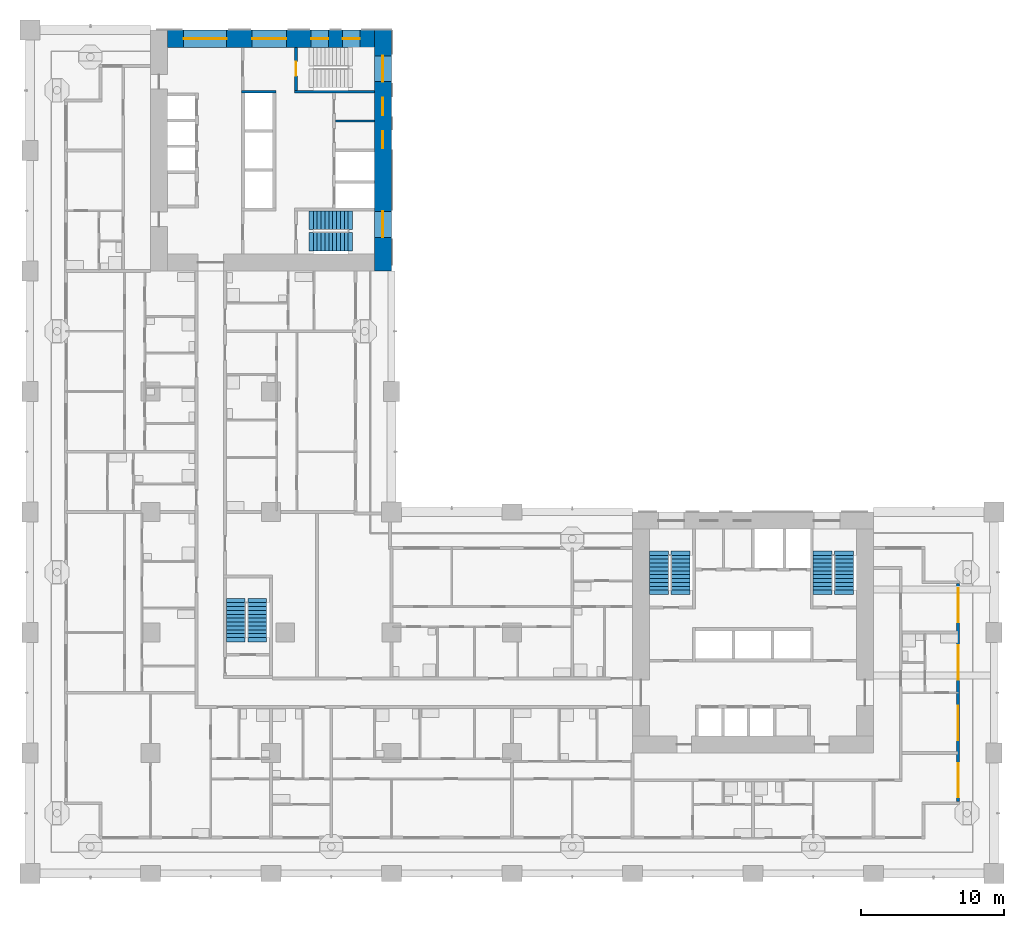
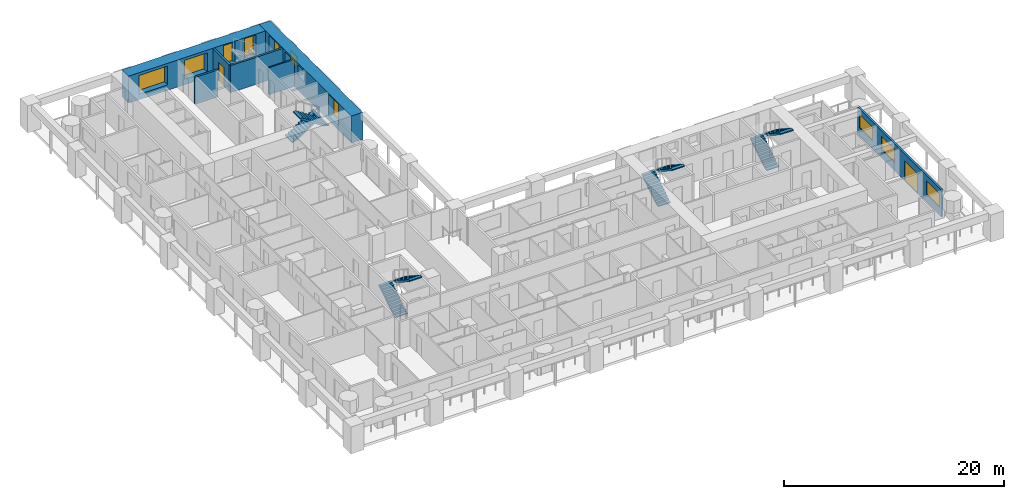
# One storey, part 10 of 21: 11 windows, 8 stair flights, 7 walls, 2 doors, 13 openings, 4 elements without a shape of their own.
"""IFC4 building model written with IfcOpenShell, lengths in metres."""

from ifc_helpers import new_model, si_unit, direction, frame, frame_2d, origin, place, context, subcontext, project, spatial, polyline, rectangle, outline, extrude, material, layer, layer_set, type_object, element, fill, aggregate, save


model = new_model("IFC4")

# Units and contexts
model_context = context("Model", 3, precision=1e-05, world=origin(), true_north=direction((0.0, 1.0)))
body_context = subcontext(model_context, "Body", "Model", "MODEL_VIEW")
ifc_project = project(units=[si_unit("LENGTHUNIT", "METRE"), si_unit("AREAUNIT", "SQUARE_METRE"), si_unit("VOLUMEUNIT", "CUBIC_METRE"), si_unit("PLANEANGLEUNIT", "RADIAN"), si_unit("MASSUNIT", "GRAM", prefix="KILO")], contexts=[model_context])

# Site, building, storey
site_placement = place(None, origin())
site = spatial("IfcSite", under=ifc_project, at=site_placement, CompositionType="ELEMENT")
building_placement = place(site_placement, origin())
building = spatial("IfcBuilding", under=site, at=building_placement, Name="Vermilion Gate Residences", CompositionType="ELEMENT")
storey_placement = place(building_placement, frame((0.0, 0.0, 70.699951171875)))
storey = spatial("IfcBuildingStorey", under=building, at=storey_placement, Name="L17", CompositionType="ELEMENT", Elevation=70.699951171875)

# Wall
ifc_material_1 = material(Name="Masonry blockwork", Category="masonry")
ifc_layer_1 = layer(ifc_material_1, 0.14990234375)
ifc_layer_set_1 = layer_set([ifc_layer_1], Name="BLOCKWORK PARTITION 150 EI 120")
wall_type_1 = type_object("IfcWallType", Name="BLOCKWORK PARTITION 150 EI 120", PredefinedType="PARTITIONING", material=ifc_layer_set_1)
wall_1_placement = place(storey_placement, frame((21.300048828125, 52.449951171875, 0.0), z_axis=(0.0, 0.0, 1.0), x_axis=(1.0, 0.0, 0.0)))
element("IfcWall", 1, at=wall_1_placement, inside=storey, type_object=wall_type_1, Name="Core room partition B17-NR-P0", PredefinedType="PARTITIONING", context=body_context, shape_type="SweptSolid", body=[
    extrude(rectangle(XDim=2.699951171875, YDim=0.14990234375, at=frame_2d((1.35009765625, 0.0))), origin(), (0.0, 0.0, 1.0), 3.0),
])

# Wall, openings, door, windows
ifc_material_2 = material(Name="Insulated steel stud wall with terracotta rainscreen", Category="masonry")
ifc_layer_2 = layer(ifc_material_2, 0.199951171875)
ifc_layer_set_2 = layer_set([ifc_layer_2], Name="EXTERNAL WALL 200 TERRACOTTA RAINSCREEN")
wall_type_2 = type_object("IfcWallType", Name="EXTERNAL WALL 200 TERRACOTTA RAINSCREEN", PredefinedType="SOLIDWALL", material=ifc_layer_set_2)
wall_2_placement = place(storey_placement, frame((64.699951171875, 5.0, 0.0), z_axis=(0.0, 0.0, 1.0), x_axis=(0.0, 1.0, 0.0)))
wall_2 = element("IfcWall", 2, at=wall_2_placement, inside=storey, type_object=wall_type_2, Name="External wall", PredefinedType="SOLIDWALL", context=body_context, shape_type="SweptSolid", body=[
    extrude(rectangle(XDim=15.199951171875, YDim=0.199951171875, at=frame_2d((7.60009765625, 0.0))), origin(), (0.0, 0.0, 1.0), 3.0),
])
opening_1_placement = place(wall_2_placement, frame((0.300048828125, 0.0, 0.89990234375)))
opening_1 = element("IfcOpeningElement", 3, at=opening_1_placement, cuts=wall_2, Name="Opening WE17028", PredefinedType="OPENING", context=body_context, shape_type="SweptSolid", body=[
    extrude(rectangle(XDim=2.39990234375, YDim=1.5, at=frame_2d((1.199951171875, 0.75))), frame((0.0, 0.10986328125, 0.0), z_axis=(0.0, -1.0, 0.0), x_axis=(1.0, 0.0, 0.0)), (0.0, 0.0, 1.0), 0.219970703125),
])
opening_2_placement = place(wall_2_placement, frame((4.300048828125, 0.0, 0.0)))
opening_2 = element("IfcOpeningElement", 4, at=opening_2_placement, cuts=wall_2, Name="Opening DE17029", PredefinedType="OPENING", context=body_context, shape_type="SweptSolid", body=[
    extrude(rectangle(XDim=2.39990234375, YDim=2.199951171875, at=frame_2d((1.199951171875, 1.10009765625))), frame((0.0, 0.10986328125, 0.0), z_axis=(0.0, -1.0, 0.0), x_axis=(1.0, 0.0, 0.0)), (0.0, 0.0, 1.0), 0.219970703125),
])
opening_3_placement = place(wall_2_placement, frame((8.5, 0.0, 0.89990234375)))
opening_3 = element("IfcOpeningElement", 5, at=opening_3_placement, cuts=wall_2, Name="Opening WE17030", PredefinedType="OPENING", context=body_context, shape_type="SweptSolid", body=[
    extrude(rectangle(XDim=2.39990234375, YDim=1.5, at=frame_2d((1.199951171875, 0.75))), frame((0.0, 0.10986328125, 0.0), z_axis=(0.0, -1.0, 0.0), x_axis=(1.0, 0.0, 0.0)), (0.0, 0.0, 1.0), 0.219970703125),
])
opening_4_placement = place(wall_2_placement, frame((12.5, 0.0, 0.89990234375)))
opening_4 = element("IfcOpeningElement", 6, at=opening_4_placement, cuts=wall_2, Name="Opening WE17031", PredefinedType="OPENING", context=body_context, shape_type="SweptSolid", body=[
    extrude(rectangle(XDim=2.39990234375, YDim=1.5, at=frame_2d((1.199951171875, 0.75))), frame((0.0, 0.10986328125, 0.0), z_axis=(0.0, -1.0, 0.0), x_axis=(1.0, 0.0, 0.0)), (0.0, 0.0, 1.0), 0.219970703125),
])
ifc_material_3 = material(Name="Aluminium and clear glass", Category="aluminium")
door_type_1 = type_object("IfcDoorType", Name="SLIDING GLAZED DOOR 2400 X 2200", OperationType="DOUBLE_DOOR_SLIDING", PredefinedType="DOOR", material=ifc_material_3)
door_1_placement = place(opening_2_placement, origin())
door_1 = element("IfcDoor", 7, at=door_1_placement, inside=storey, type_object=door_type_1, Name="Loggia sliding door", OperationType="DOUBLE_DOOR_SLIDING", OverallHeight=2.199951171875, OverallWidth=2.39990234375, PredefinedType="DOOR", context=body_context, shape_type="SweptSolid", body=[
    extrude(rectangle(XDim=2.39990234375, YDim=2.199951171875, at=frame_2d((1.199951171875, 1.10009765625))), frame((0.0, 0.02490234375, 0.0), z_axis=(0.0, -1.0, 0.0), x_axis=(1.0, 0.0, 0.0)), (0.0, 0.0, 1.0), 0.050048828125),
])
fill(opening_2, door_1)
ifc_material_4 = material(Name="Aluminium and clear glass", Category="aluminium")
window_type_1 = type_object("IfcWindowType", Name="WINDOW 2400 X 1500", PartitioningType="SINGLE_PANEL", PredefinedType="WINDOW", material=ifc_material_4)
window_1_placement = place(opening_1_placement, origin())
window_1 = element("IfcWindow", 8, at=window_1_placement, inside=storey, type_object=window_type_1, Name="Window", OverallHeight=1.5, OverallWidth=2.39990234375, PartitioningType="SINGLE_PANEL", PredefinedType="WINDOW", context=body_context, shape_type="SweptSolid", body=[
    extrude(rectangle(XDim=2.39990234375, YDim=1.5, at=frame_2d((1.199951171875, 0.75))), frame((0.0, 0.030029296875, 0.0), z_axis=(0.0, -1.0, 0.0), x_axis=(1.0, 0.0, 0.0)), (0.0, 0.0, 1.0), 0.06005859375),
])
fill(opening_1, window_1)
window_2_placement = place(opening_3_placement, origin())
window_2 = element("IfcWindow", 9, at=window_2_placement, inside=storey, type_object=window_type_1, Name="Window", OverallHeight=1.5, OverallWidth=2.39990234375, PartitioningType="SINGLE_PANEL", PredefinedType="WINDOW", context=body_context, shape_type="SweptSolid", body=[
    extrude(rectangle(XDim=2.39990234375, YDim=1.5, at=frame_2d((1.199951171875, 0.75))), frame((0.0, 0.030029296875, 0.0), z_axis=(0.0, -1.0, 0.0), x_axis=(1.0, 0.0, 0.0)), (0.0, 0.0, 1.0), 0.06005859375),
])
fill(opening_3, window_2)
window_3_placement = place(opening_4_placement, origin())
window_3 = element("IfcWindow", 10, at=window_3_placement, inside=storey, type_object=window_type_1, Name="Window", OverallHeight=1.5, OverallWidth=2.39990234375, PartitioningType="SINGLE_PANEL", PredefinedType="WINDOW", context=body_context, shape_type="SweptSolid", body=[
    extrude(rectangle(XDim=2.39990234375, YDim=1.5, at=frame_2d((1.199951171875, 0.75))), frame((0.0, 0.030029296875, 0.0), z_axis=(0.0, -1.0, 0.0), x_axis=(1.0, 0.0, 0.0)), (0.0, 0.0, 1.0), 0.06005859375),
])
fill(opening_4, window_3)

# Walls
ifc_material_5 = material(Name="Concrete C60", Category="concrete")
ifc_layer_3 = layer(ifc_material_5, 0.199951171875)
ifc_layer_set_3 = layer_set([ifc_layer_3], Name="RC CORE INTERNAL WALL 200 C60")
wall_type_3 = type_object("IfcWallType", Name="RC CORE INTERNAL WALL 200 C60", PredefinedType="SHEAR", material=ifc_layer_set_3)
wall_3_placement = place(storey_placement, frame((14.75, 54.5, 0.0), z_axis=(0.0, 0.0, 1.0), x_axis=(1.0, 0.0, 0.0)))
element("IfcWall", 11, at=wall_3_placement, inside=storey, type_object=wall_type_3, Name="Core internal wall B17-WDIV1", PredefinedType="SHEAR", context=body_context, shape_type="SweptSolid", body=[
    extrude(rectangle(XDim=2.39990234375, YDim=0.199951171875, at=frame_2d((1.199951171875, 0.0))), origin(), (0.0, 0.0, 1.0), 3.0),
])
wall_4_placement = place(storey_placement, frame((18.449951171875, 54.5, 0.0), z_axis=(0.0, 0.0, 1.0), x_axis=(1.0, 0.0, 0.0)))
element("IfcWall", 12, at=wall_4_placement, inside=storey, type_object=wall_type_3, Name="Core internal wall B17-WDIV2", PredefinedType="SHEAR", context=body_context, shape_type="SweptSolid", body=[
    extrude(rectangle(XDim=5.550048828125, YDim=0.199951171875, at=frame_2d((2.77490234375, 0.0))), origin(), (0.0, 0.0, 1.0), 3.0),
])

# Wall, opening, door
wall_5_placement = place(storey_placement, frame((18.550048828125, 57.60009765625, 0.0), z_axis=(0.0, 0.0, 1.0), x_axis=(0.0, -1.0, 0.0)))
wall_5 = element("IfcWall", 13, at=wall_5_placement, inside=storey, type_object=wall_type_3, Name="Core internal wall B17-STW-S", PredefinedType="SHEAR", context=body_context, shape_type="SweptSolid", body=[
    extrude(rectangle(XDim=3.0, YDim=0.199951171875, at=frame_2d((1.5, 0.0))), origin(), (0.0, 0.0, 1.0), 3.0),
])
opening_5_placement = place(wall_5_placement, frame((1.0, 0.0, 0.0)))
opening_5 = element("IfcOpeningElement", 14, at=opening_5_placement, cuts=wall_5, Name="Opening DK17113", PredefinedType="OPENING", context=body_context, shape_type="SweptSolid", body=[
    extrude(rectangle(XDim=1.0, YDim=2.10009765625, at=frame_2d((0.5, 1.050048828125))), frame((0.0, 0.10986328125, 0.0), z_axis=(0.0, -1.0, 0.0), x_axis=(1.0, 0.0, 0.0)), (0.0, 0.0, 1.0), 0.219970703125),
])
ifc_material_6 = material(Name="Steel", Category="steel")
door_type_2 = type_object("IfcDoorType", Name="FIRE DOOR FD60 1000 X 2100", OperationType="SINGLE_SWING_LEFT", PredefinedType="DOOR", material=ifc_material_6)
door_2_placement = place(opening_5_placement, origin())
door_2 = element("IfcDoor", 15, at=door_2_placement, inside=storey, type_object=door_type_2, Name="Stair door B17", OperationType="SINGLE_SWING_LEFT", OverallHeight=2.10009765625, OverallWidth=1.0, PredefinedType="DOOR", context=body_context, shape_type="SweptSolid", body=[
    extrude(rectangle(XDim=1.0, YDim=2.10009765625, at=frame_2d((0.5, 1.050048828125))), frame((0.0, 0.02490234375, 0.0), z_axis=(0.0, -1.0, 0.0), x_axis=(1.0, 0.0, 0.0)), (0.0, 0.0, 1.0), 0.050048828125),
])
fill(opening_5, door_2)

# Wall, openings, windows
ifc_material_7 = material(Name="Concrete C80 red-oxide pigmented", Category="concrete")
ifc_layer_4 = layer(ifc_material_7, 1.199951171875)
ifc_layer_set_4 = layer_set([ifc_layer_4], Name="RC CORE WALL 1200 C80 RED OXIDE")
wall_type_4 = type_object("IfcWallType", Name="RC CORE WALL 1200 C80 RED OXIDE", PredefinedType="SHEAR", material=ifc_layer_set_4)
wall_6_placement = place(storey_placement, frame((24.60009765625, 58.800048828125, 0.0), z_axis=(0.0, 0.0, 1.0), x_axis=(0.0, -1.0, 0.0)))
wall_6 = element("IfcWall", 16, at=wall_6_placement, inside=storey, type_object=wall_type_4, Name="Core wall B17-OUT-B1", PredefinedType="SHEAR", context=body_context, shape_type="SweptSolid", body=[
    extrude(rectangle(XDim=16.800048828125, YDim=1.199951171875, at=frame_2d((8.39990234375, 0.0))), origin(), (0.0, 0.0, 1.0), 3.0),
])
opening_6_placement = place(wall_6_placement, frame((1.800048828125, 0.0, 0.5)))
opening_6 = element("IfcOpeningElement", 17, at=opening_6_placement, cuts=wall_6, Name="Opening WKB1701", PredefinedType="OPENING", context=body_context, shape_type="SweptSolid", body=[
    extrude(rectangle(XDim=1.800048828125, YDim=2.39990234375, at=frame_2d((0.89990234375, 1.199951171875))), frame((0.0, 0.60986328125, 0.0), z_axis=(0.0, -1.0, 0.0), x_axis=(1.0, 0.0, 0.0)), (0.0, 0.0, 1.0), 1.219970703125),
])
opening_7_placement = place(wall_6_placement, frame((4.737548828125, 0.0, 1.60009765625)))
opening_7 = element("IfcOpeningElement", 18, at=opening_7_placement, cuts=wall_6, Name="Opening WKB1702", PredefinedType="OPENING", context=body_context, shape_type="SweptSolid", body=[
    extrude(rectangle(XDim=1.199951171875, YDim=1.199951171875, at=frame_2d((0.60009765625, 0.60009765625))), frame((0.0, 0.60986328125, 0.0), z_axis=(0.0, -1.0, 0.0), x_axis=(1.0, 0.0, 0.0)), (0.0, 0.0, 1.0), 1.219970703125),
])
opening_8_placement = place(wall_6_placement, frame((7.050048828125, 0.0, 1.60009765625)))
opening_8 = element("IfcOpeningElement", 19, at=opening_8_placement, cuts=wall_6, Name="Opening WKB1703", PredefinedType="OPENING", context=body_context, shape_type="SweptSolid", body=[
    extrude(rectangle(XDim=1.199951171875, YDim=1.199951171875, at=frame_2d((0.60009765625, 0.60009765625))), frame((0.0, 0.60986328125, 0.0), z_axis=(0.0, -1.0, 0.0), x_axis=(1.0, 0.0, 0.0)), (0.0, 0.0, 1.0), 1.219970703125),
])
opening_9_placement = place(wall_6_placement, frame((12.64990234375, 0.0, 0.5)))
opening_9 = element("IfcOpeningElement", 20, at=opening_9_placement, cuts=wall_6, Name="Opening WKB1704", PredefinedType="OPENING", context=body_context, shape_type="SweptSolid", body=[
    extrude(rectangle(XDim=1.800048828125, YDim=2.39990234375, at=frame_2d((0.89990234375, 1.199951171875))), frame((0.0, 0.60986328125, 0.0), z_axis=(0.0, -1.0, 0.0), x_axis=(1.0, 0.0, 0.0)), (0.0, 0.0, 1.0), 1.219970703125),
])
ifc_material_8 = material(Name="Aluminium frame with louvre blades", Category="aluminium")
window_type_2 = type_object("IfcWindowType", Name="CORE LOUVRE 1200 X 1200", PartitioningType="SINGLE_PANEL", PredefinedType="WINDOW", material=ifc_material_8)
window_4_placement = place(opening_7_placement, origin())
window_4 = element("IfcWindow", 21, at=window_4_placement, inside=storey, type_object=window_type_2, Name="Core louvre", OverallHeight=1.199951171875, OverallWidth=1.199951171875, PartitioningType="SINGLE_PANEL", PredefinedType="WINDOW", context=body_context, shape_type="SweptSolid", body=[
    extrude(rectangle(XDim=1.199951171875, YDim=1.199951171875, at=frame_2d((0.60009765625, 0.60009765625))), frame((0.0, 0.030029296875, 0.0), z_axis=(0.0, -1.0, 0.0), x_axis=(1.0, 0.0, 0.0)), (0.0, 0.0, 1.0), 0.06005859375),
])
fill(opening_7, window_4)
window_5_placement = place(opening_8_placement, origin())
window_5 = element("IfcWindow", 22, at=window_5_placement, inside=storey, type_object=window_type_2, Name="Core louvre", OverallHeight=1.199951171875, OverallWidth=1.199951171875, PartitioningType="SINGLE_PANEL", PredefinedType="WINDOW", context=body_context, shape_type="SweptSolid", body=[
    extrude(rectangle(XDim=1.199951171875, YDim=1.199951171875, at=frame_2d((0.60009765625, 0.60009765625))), frame((0.0, 0.030029296875, 0.0), z_axis=(0.0, -1.0, 0.0), x_axis=(1.0, 0.0, 0.0)), (0.0, 0.0, 1.0), 0.06005859375),
])
fill(opening_8, window_5)
ifc_material_9 = material(Name="Aluminium and clear glass", Category="aluminium")
window_type_3 = type_object("IfcWindowType", Name="CORE STAIR WINDOW 1800 X 2400", PartitioningType="SINGLE_PANEL", PredefinedType="WINDOW", material=ifc_material_9)
window_6_placement = place(opening_6_placement, origin())
window_6 = element("IfcWindow", 23, at=window_6_placement, inside=storey, type_object=window_type_3, Name="Core stair window", OverallHeight=2.39990234375, OverallWidth=1.800048828125, PartitioningType="SINGLE_PANEL", PredefinedType="WINDOW", context=body_context, shape_type="SweptSolid", body=[
    extrude(rectangle(XDim=1.800048828125, YDim=2.39990234375, at=frame_2d((0.89990234375, 1.199951171875))), frame((0.0, 0.030029296875, 0.0), z_axis=(0.0, -1.0, 0.0), x_axis=(1.0, 0.0, 0.0)), (0.0, 0.0, 1.0), 0.06005859375),
])
fill(opening_6, window_6)
window_7_placement = place(opening_9_placement, origin())
window_7 = element("IfcWindow", 24, at=window_7_placement, inside=storey, type_object=window_type_3, Name="Core stair window", OverallHeight=2.39990234375, OverallWidth=1.800048828125, PartitioningType="SINGLE_PANEL", PredefinedType="WINDOW", context=body_context, shape_type="SweptSolid", body=[
    extrude(rectangle(XDim=1.800048828125, YDim=2.39990234375, at=frame_2d((0.89990234375, 1.199951171875))), frame((0.0, 0.030029296875, 0.0), z_axis=(0.0, -1.0, 0.0), x_axis=(1.0, 0.0, 0.0)), (0.0, 0.0, 1.0), 0.06005859375),
])
fill(opening_9, window_7)

wall_7_placement = place(storey_placement, frame((9.60009765625, 58.199951171875, 0.0), z_axis=(0.0, 0.0, 1.0), x_axis=(1.0, 0.0, 0.0)))
wall_7 = element("IfcWall", 25, at=wall_7_placement, inside=storey, type_object=wall_type_4, Name="Core wall B17-OUT-FR", PredefinedType="SHEAR", context=body_context, shape_type="SweptSolid", body=[
    extrude(rectangle(XDim=14.39990234375, YDim=1.199951171875, at=frame_2d((7.199951171875, 0.0))), origin(), (0.0, 0.0, 1.0), 3.0),
])
opening_10_placement = place(wall_7_placement, frame((1.10498046875, 0.0, 0.60009765625)))
opening_10 = element("IfcOpeningElement", 26, at=opening_10_placement, cuts=wall_7, Name="Opening WKB1705", PredefinedType="OPENING", context=body_context, shape_type="SweptSolid", body=[
    extrude(rectangle(XDim=3.0, YDim=2.10009765625, at=frame_2d((1.5, 1.050048828125))), frame((0.0, 0.60986328125, 0.0), z_axis=(0.0, -1.0, 0.0), x_axis=(1.0, 0.0, 0.0)), (0.0, 0.0, 1.0), 1.219970703125),
])
opening_11_placement = place(wall_7_placement, frame((5.875, 0.0, 0.60009765625)))
opening_11 = element("IfcOpeningElement", 27, at=opening_11_placement, cuts=wall_7, Name="Opening WKB1706", PredefinedType="OPENING", context=body_context, shape_type="SweptSolid", body=[
    extrude(rectangle(XDim=2.39990234375, YDim=2.10009765625, at=frame_2d((1.199951171875, 1.050048828125))), frame((0.0, 0.60986328125, 0.0), z_axis=(0.0, -1.0, 0.0), x_axis=(1.0, 0.0, 0.0)), (0.0, 0.0, 1.0), 1.219970703125),
])
opening_12_placement = place(wall_7_placement, frame((9.993408203125, 0.0, 0.5)))
opening_12 = element("IfcOpeningElement", 28, at=opening_12_placement, cuts=wall_7, Name="Opening WKB1707", PredefinedType="OPENING", context=body_context, shape_type="SweptSolid", body=[
    extrude(rectangle(XDim=1.199951171875, YDim=2.39990234375, at=frame_2d((0.60009765625, 1.199951171875))), frame((0.0, 0.60986328125, 0.0), z_axis=(0.0, -1.0, 0.0), x_axis=(1.0, 0.0, 0.0)), (0.0, 0.0, 1.0), 1.219970703125),
])
opening_13_placement = place(wall_7_placement, frame((12.19677734375, 0.0, 0.5)))
opening_13 = element("IfcOpeningElement", 29, at=opening_13_placement, cuts=wall_7, Name="Opening WKB1708", PredefinedType="OPENING", context=body_context, shape_type="SweptSolid", body=[
    extrude(rectangle(XDim=1.199951171875, YDim=2.39990234375, at=frame_2d((0.60009765625, 1.199951171875))), frame((0.0, 0.60986328125, 0.0), z_axis=(0.0, -1.0, 0.0), x_axis=(1.0, 0.0, 0.0)), (0.0, 0.0, 1.0), 1.219970703125),
])
ifc_material_10 = material(Name="Aluminium and clear glass", Category="aluminium")
window_type_4 = type_object("IfcWindowType", Name="CORE LOBBY WINDOW 2400 X 2100", PartitioningType="SINGLE_PANEL", PredefinedType="WINDOW", material=ifc_material_10)
window_8_placement = place(opening_11_placement, origin())
window_8 = element("IfcWindow", 30, at=window_8_placement, inside=storey, type_object=window_type_4, Name="Core lobby window", OverallHeight=2.10009765625, OverallWidth=2.39990234375, PartitioningType="SINGLE_PANEL", PredefinedType="WINDOW", context=body_context, shape_type="SweptSolid", body=[
    extrude(rectangle(XDim=2.39990234375, YDim=2.10009765625, at=frame_2d((1.199951171875, 1.050048828125))), frame((0.0, 0.030029296875, 0.0), z_axis=(0.0, -1.0, 0.0), x_axis=(1.0, 0.0, 0.0)), (0.0, 0.0, 1.0), 0.06005859375),
])
fill(opening_11, window_8)
ifc_material_11 = material(Name="Aluminium and clear glass", Category="aluminium")
window_type_5 = type_object("IfcWindowType", Name="CORE LOBBY WINDOW 3000 X 2100", PartitioningType="SINGLE_PANEL", PredefinedType="WINDOW", material=ifc_material_11)
window_9_placement = place(opening_10_placement, origin())
window_9 = element("IfcWindow", 31, at=window_9_placement, inside=storey, type_object=window_type_5, Name="Core lobby window", OverallHeight=2.10009765625, OverallWidth=3.0, PartitioningType="SINGLE_PANEL", PredefinedType="WINDOW", context=body_context, shape_type="SweptSolid", body=[
    extrude(rectangle(XDim=3.0, YDim=2.10009765625, at=frame_2d((1.5, 1.050048828125))), frame((0.0, 0.030029296875, 0.0), z_axis=(0.0, -1.0, 0.0), x_axis=(1.0, 0.0, 0.0)), (0.0, 0.0, 1.0), 0.06005859375),
])
fill(opening_10, window_9)
ifc_material_12 = material(Name="Aluminium and clear glass", Category="aluminium")
window_type_6 = type_object("IfcWindowType", Name="CORE STAIR WINDOW 1200 X 2400", PartitioningType="SINGLE_PANEL", PredefinedType="WINDOW", material=ifc_material_12)
window_10_placement = place(opening_12_placement, origin())
window_10 = element("IfcWindow", 32, at=window_10_placement, inside=storey, type_object=window_type_6, Name="Core stair window", OverallHeight=2.39990234375, OverallWidth=1.199951171875, PartitioningType="SINGLE_PANEL", PredefinedType="WINDOW", context=body_context, shape_type="SweptSolid", body=[
    extrude(rectangle(XDim=1.199951171875, YDim=2.39990234375, at=frame_2d((0.60009765625, 1.199951171875))), frame((0.0, 0.030029296875, 0.0), z_axis=(0.0, -1.0, 0.0), x_axis=(1.0, 0.0, 0.0)), (0.0, 0.0, 1.0), 0.06005859375),
])
fill(opening_12, window_10)
window_11_placement = place(opening_13_placement, origin())
window_11 = element("IfcWindow", 33, at=window_11_placement, inside=storey, type_object=window_type_6, Name="Core stair window", OverallHeight=2.39990234375, OverallWidth=1.199951171875, PartitioningType="SINGLE_PANEL", PredefinedType="WINDOW", context=body_context, shape_type="SweptSolid", body=[
    extrude(rectangle(XDim=1.199951171875, YDim=2.39990234375, at=frame_2d((0.60009765625, 1.199951171875))), frame((0.0, 0.030029296875, 0.0), z_axis=(0.0, -1.0, 0.0), x_axis=(1.0, 0.0, 0.0)), (0.0, 0.0, 1.0), 0.06005859375),
])
fill(opening_13, window_11)

# Stair, stair flights
ifc_material_13 = material(Name="Concrete C50", Category="concrete")
stair_type = type_object("IfcStairType", Name="SPECIAL ESCAPE STAIR 1300", PredefinedType="HALF_TURN_STAIR", material=ifc_material_13)
stair_1_placement = place(storey_placement, origin())
stair_1 = element("IfcStair", 34, at=stair_1_placement, inside=storey, type_object=stair_type, Name="Special escape stair STA1-17", PredefinedType="HALF_TURN_STAIR")
ifc_material_14 = material(Name="Concrete C50", Category="concrete")
stair_flight_type = type_object("IfcStairFlightType", Name="STAIR FLIGHT 1300 RC C50", PredefinedType="STRAIGHT", material=ifc_material_14)
stair_flight_1_placement = place(storey_placement, frame((43.85009765625, 19.75, 0.0), z_axis=(0.0, 0.0, 1.0), x_axis=(0.0, 1.0, 0.0)))
stair_flight_1 = element("IfcStairFlight", 35, at=stair_flight_1_placement, type_object=stair_flight_type, Name="STA1-17 flight 1", NumberOfRisers=10, NumberOfTreads=9, PredefinedType="STRAIGHT", RiserHeight=0.175, TreadLength=0.27, context=body_context, shape_type="SweptSolid", body=[
    extrude(outline(polyline([(-0.300048828125, -0.14990234375), (-0.300048828125, -0.030029296875), (0.0, 0.0), (0.0, 0.175048828125), (0.27001953125, 0.175048828125), (0.27001953125, 0.35009765625), (0.5400390625, 0.35009765625), (0.5400390625, 0.52490234375), (0.81005859375, 0.52490234375), (0.81005859375, 0.699951171875), (1.080078125, 0.699951171875), (1.080078125, 0.875), (1.35009765625, 0.875), (1.35009765625, 1.050048828125), (1.6201171875, 1.050048828125), (1.6201171875, 1.22509765625), (1.889892578125, 1.22509765625), (1.889892578125, 1.39990234375), (2.159912109375, 1.39990234375), (2.159912109375, 1.574951171875), (2.429931640625, 1.574951171875), (2.429931640625, 1.75), (2.72998046875, 1.719970703125), (2.72998046875, 1.60009765625), (2.429931640625, 1.396484375), (0.275634765625, 0.0), (-0.300048828125, -0.14990234375)])), frame((0.0, 0.64990234375, 0.0), z_axis=(0.0, -1.0, 0.0), x_axis=(1.0, 0.0, 0.0)), (0.0, 0.0, 1.0), 1.300048828125),
])
stair_flight_2_placement = place(storey_placement, frame((45.35009765625, 22.179931640625, 1.75), z_axis=(0.0, 0.0, 1.0), x_axis=(0.0, -1.0, 0.0)))
stair_flight_2 = element("IfcStairFlight", 36, at=stair_flight_2_placement, type_object=stair_flight_type, Name="STA1-17 flight 2", NumberOfRisers=10, NumberOfTreads=9, PredefinedType="STRAIGHT", RiserHeight=0.175, TreadLength=0.27, context=body_context, shape_type="SweptSolid", body=[
    extrude(outline(polyline([(-0.300048828125, -0.14990234375), (-0.300048828125, -0.030029296875), (0.0, 0.0), (0.0, 0.175048828125), (0.27001953125, 0.175048828125), (0.27001953125, 0.35009765625), (0.5400390625, 0.35009765625), (0.5400390625, 0.52490234375), (0.81005859375, 0.52490234375), (0.81005859375, 0.699951171875), (1.080078125, 0.699951171875), (1.080078125, 0.875), (1.35009765625, 0.875), (1.35009765625, 1.050048828125), (1.6201171875, 1.050048828125), (1.6201171875, 1.22509765625), (1.889892578125, 1.22509765625), (1.889892578125, 1.39990234375), (2.159912109375, 1.39990234375), (2.159912109375, 1.574951171875), (2.429931640625, 1.574951171875), (2.429931640625, 1.75), (2.72998046875, 1.719970703125), (2.72998046875, 1.60009765625), (2.429931640625, 1.396484375), (0.275634765625, 0.0), (-0.300048828125, -0.14990234375)])), frame((0.0, 0.64990234375, 0.0), z_axis=(0.0, -1.0, 0.0), x_axis=(1.0, 0.0, 0.0)), (0.0, 0.0, 1.0), 1.300048828125),
])
aggregate(stair_1, [stair_flight_1, stair_flight_2])

stair_2_placement = place(storey_placement, origin())
stair_2 = element("IfcStair", 37, at=stair_2_placement, inside=storey, type_object=stair_type, Name="Special escape stair STA2-17", PredefinedType="HALF_TURN_STAIR")
stair_flight_3_placement = place(storey_placement, frame((55.25, 19.75, 0.0), z_axis=(0.0, 0.0, 1.0), x_axis=(0.0, 1.0, 0.0)))
stair_flight_3 = element("IfcStairFlight", 38, at=stair_flight_3_placement, type_object=stair_flight_type, Name="STA2-17 flight 1", NumberOfRisers=10, NumberOfTreads=9, PredefinedType="STRAIGHT", RiserHeight=0.175, TreadLength=0.27, context=body_context, shape_type="SweptSolid", body=[
    extrude(outline(polyline([(-0.300048828125, -0.14990234375), (-0.300048828125, -0.030029296875), (0.0, 0.0), (0.0, 0.175048828125), (0.27001953125, 0.175048828125), (0.27001953125, 0.35009765625), (0.5400390625, 0.35009765625), (0.5400390625, 0.52490234375), (0.81005859375, 0.52490234375), (0.81005859375, 0.699951171875), (1.080078125, 0.699951171875), (1.080078125, 0.875), (1.35009765625, 0.875), (1.35009765625, 1.050048828125), (1.6201171875, 1.050048828125), (1.6201171875, 1.22509765625), (1.889892578125, 1.22509765625), (1.889892578125, 1.39990234375), (2.159912109375, 1.39990234375), (2.159912109375, 1.574951171875), (2.429931640625, 1.574951171875), (2.429931640625, 1.75), (2.72998046875, 1.719970703125), (2.72998046875, 1.60009765625), (2.429931640625, 1.396484375), (0.275634765625, 0.0), (-0.300048828125, -0.14990234375)])), frame((0.0, 0.64990234375, 0.0), z_axis=(0.0, -1.0, 0.0), x_axis=(1.0, 0.0, 0.0)), (0.0, 0.0, 1.0), 1.300048828125),
])
stair_flight_4_placement = place(storey_placement, frame((56.75, 22.179931640625, 1.75), z_axis=(0.0, 0.0, 1.0), x_axis=(0.0, -1.0, 0.0)))
stair_flight_4 = element("IfcStairFlight", 39, at=stair_flight_4_placement, type_object=stair_flight_type, Name="STA2-17 flight 2", NumberOfRisers=10, NumberOfTreads=9, PredefinedType="STRAIGHT", RiserHeight=0.175, TreadLength=0.27, context=body_context, shape_type="SweptSolid", body=[
    extrude(outline(polyline([(-0.300048828125, -0.14990234375), (-0.300048828125, -0.030029296875), (0.0, 0.0), (0.0, 0.175048828125), (0.27001953125, 0.175048828125), (0.27001953125, 0.35009765625), (0.5400390625, 0.35009765625), (0.5400390625, 0.52490234375), (0.81005859375, 0.52490234375), (0.81005859375, 0.699951171875), (1.080078125, 0.699951171875), (1.080078125, 0.875), (1.35009765625, 0.875), (1.35009765625, 1.050048828125), (1.6201171875, 1.050048828125), (1.6201171875, 1.22509765625), (1.889892578125, 1.22509765625), (1.889892578125, 1.39990234375), (2.159912109375, 1.39990234375), (2.159912109375, 1.574951171875), (2.429931640625, 1.574951171875), (2.429931640625, 1.75), (2.72998046875, 1.719970703125), (2.72998046875, 1.60009765625), (2.429931640625, 1.396484375), (0.275634765625, 0.0), (-0.300048828125, -0.14990234375)])), frame((0.0, 0.64990234375, 0.0), z_axis=(0.0, -1.0, 0.0), x_axis=(1.0, 0.0, 0.0)), (0.0, 0.0, 1.0), 1.300048828125),
])
aggregate(stair_2, [stair_flight_3, stair_flight_4])

stair_3_placement = place(storey_placement, origin())
stair_3 = element("IfcStair", 40, at=stair_3_placement, inside=storey, type_object=stair_type, Name="Special escape stair STB2-17", PredefinedType="HALF_TURN_STAIR")
stair_flight_5_placement = place(storey_placement, frame((19.75, 45.550048828125, 0.0), z_axis=(0.0, 0.0, 1.0), x_axis=(1.0, 0.0, 0.0)))
stair_flight_5 = element("IfcStairFlight", 41, at=stair_flight_5_placement, type_object=stair_flight_type, Name="STB2-17 flight 1", NumberOfRisers=10, NumberOfTreads=9, PredefinedType="STRAIGHT", RiserHeight=0.175, TreadLength=0.27, context=body_context, shape_type="SweptSolid", body=[
    extrude(outline(polyline([(-0.300048828125, -0.14990234375), (-0.300048828125, -0.030029296875), (0.0, 0.0), (0.0, 0.175048828125), (0.27001953125, 0.175048828125), (0.27001953125, 0.35009765625), (0.5400390625, 0.35009765625), (0.5400390625, 0.52490234375), (0.81005859375, 0.52490234375), (0.81005859375, 0.699951171875), (1.080078125, 0.699951171875), (1.080078125, 0.875), (1.35009765625, 0.875), (1.35009765625, 1.050048828125), (1.6201171875, 1.050048828125), (1.6201171875, 1.22509765625), (1.889892578125, 1.22509765625), (1.889892578125, 1.39990234375), (2.159912109375, 1.39990234375), (2.159912109375, 1.574951171875), (2.429931640625, 1.574951171875), (2.429931640625, 1.75), (2.72998046875, 1.719970703125), (2.72998046875, 1.60009765625), (2.429931640625, 1.396484375), (0.275634765625, 0.0), (-0.300048828125, -0.14990234375)])), frame((0.0, 0.64990234375, 0.0), z_axis=(0.0, -1.0, 0.0), x_axis=(1.0, 0.0, 0.0)), (0.0, 0.0, 1.0), 1.300048828125),
])
stair_flight_6_placement = place(storey_placement, frame((22.179931640625, 44.050048828125, 1.75), z_axis=(0.0, 0.0, 1.0), x_axis=(-1.0, 0.0, 0.0)))
stair_flight_6 = element("IfcStairFlight", 42, at=stair_flight_6_placement, type_object=stair_flight_type, Name="STB2-17 flight 2", NumberOfRisers=10, NumberOfTreads=9, PredefinedType="STRAIGHT", RiserHeight=0.175, TreadLength=0.27, context=body_context, shape_type="SweptSolid", body=[
    extrude(outline(polyline([(-0.300048828125, -0.14990234375), (-0.300048828125, -0.030029296875), (0.0, 0.0), (0.0, 0.175048828125), (0.27001953125, 0.175048828125), (0.27001953125, 0.35009765625), (0.5400390625, 0.35009765625), (0.5400390625, 0.52490234375), (0.81005859375, 0.52490234375), (0.81005859375, 0.699951171875), (1.080078125, 0.699951171875), (1.080078125, 0.875), (1.35009765625, 0.875), (1.35009765625, 1.050048828125), (1.6201171875, 1.050048828125), (1.6201171875, 1.22509765625), (1.889892578125, 1.22509765625), (1.889892578125, 1.39990234375), (2.159912109375, 1.39990234375), (2.159912109375, 1.574951171875), (2.429931640625, 1.574951171875), (2.429931640625, 1.75), (2.72998046875, 1.719970703125), (2.72998046875, 1.60009765625), (2.429931640625, 1.396484375), (0.275634765625, 0.0), (-0.300048828125, -0.14990234375)])), frame((0.0, 0.64990234375, 0.0), z_axis=(0.0, -1.0, 0.0), x_axis=(1.0, 0.0, 0.0)), (0.0, 0.0, 1.0), 1.300048828125),
])
aggregate(stair_3, [stair_flight_5, stair_flight_6])

stair_4_placement = place(storey_placement, origin())
stair_4 = element("IfcStair", 43, at=stair_4_placement, inside=storey, type_object=stair_type, Name="Special escape stair STC1-17", PredefinedType="HALF_TURN_STAIR")
stair_flight_7_placement = place(storey_placement, frame((14.35009765625, 16.449951171875, 0.0), z_axis=(0.0, 0.0, 1.0), x_axis=(0.0, 1.0, 0.0)))
stair_flight_7 = element("IfcStairFlight", 44, at=stair_flight_7_placement, type_object=stair_flight_type, Name="STC1-17 flight 1", NumberOfRisers=10, NumberOfTreads=9, PredefinedType="STRAIGHT", RiserHeight=0.175, TreadLength=0.27, context=body_context, shape_type="SweptSolid", body=[
    extrude(outline(polyline([(-0.300048828125, -0.14990234375), (-0.300048828125, -0.030029296875), (0.0, 0.0), (0.0, 0.175048828125), (0.27001953125, 0.175048828125), (0.27001953125, 0.35009765625), (0.5400390625, 0.35009765625), (0.5400390625, 0.52490234375), (0.81005859375, 0.52490234375), (0.81005859375, 0.699951171875), (1.080078125, 0.699951171875), (1.080078125, 0.875), (1.35009765625, 0.875), (1.35009765625, 1.050048828125), (1.6201171875, 1.050048828125), (1.6201171875, 1.22509765625), (1.889892578125, 1.22509765625), (1.889892578125, 1.39990234375), (2.159912109375, 1.39990234375), (2.159912109375, 1.574951171875), (2.429931640625, 1.574951171875), (2.429931640625, 1.75), (2.72998046875, 1.719970703125), (2.72998046875, 1.60009765625), (2.429931640625, 1.396484375), (0.275634765625, 0.0), (-0.300048828125, -0.14990234375)])), frame((0.0, 0.64990234375, 0.0), z_axis=(0.0, -1.0, 0.0), x_axis=(1.0, 0.0, 0.0)), (0.0, 0.0, 1.0), 1.300048828125),
])
stair_flight_8_placement = place(storey_placement, frame((15.85009765625, 18.8798828125, 1.75), z_axis=(0.0, 0.0, 1.0), x_axis=(0.0, -1.0, 0.0)))
stair_flight_8 = element("IfcStairFlight", 45, at=stair_flight_8_placement, type_object=stair_flight_type, Name="STC1-17 flight 2", NumberOfRisers=10, NumberOfTreads=9, PredefinedType="STRAIGHT", RiserHeight=0.175, TreadLength=0.27, context=body_context, shape_type="SweptSolid", body=[
    extrude(outline(polyline([(-0.300048828125, -0.14990234375), (-0.300048828125, -0.030029296875), (0.0, 0.0), (0.0, 0.175048828125), (0.27001953125, 0.175048828125), (0.27001953125, 0.35009765625), (0.5400390625, 0.35009765625), (0.5400390625, 0.52490234375), (0.81005859375, 0.52490234375), (0.81005859375, 0.699951171875), (1.080078125, 0.699951171875), (1.080078125, 0.875), (1.35009765625, 0.875), (1.35009765625, 1.050048828125), (1.6201171875, 1.050048828125), (1.6201171875, 1.22509765625), (1.889892578125, 1.22509765625), (1.889892578125, 1.39990234375), (2.159912109375, 1.39990234375), (2.159912109375, 1.574951171875), (2.429931640625, 1.574951171875), (2.429931640625, 1.75), (2.72998046875, 1.719970703125), (2.72998046875, 1.60009765625), (2.429931640625, 1.396484375), (0.275634765625, 0.0), (-0.300048828125, -0.14990234375)])), frame((0.0, 0.64990234375, 0.0), z_axis=(0.0, -1.0, 0.0), x_axis=(1.0, 0.0, 0.0)), (0.0, 0.0, 1.0), 1.300048828125),
])
aggregate(stair_4, [stair_flight_7, stair_flight_8])

save(model, "model.ifc")
